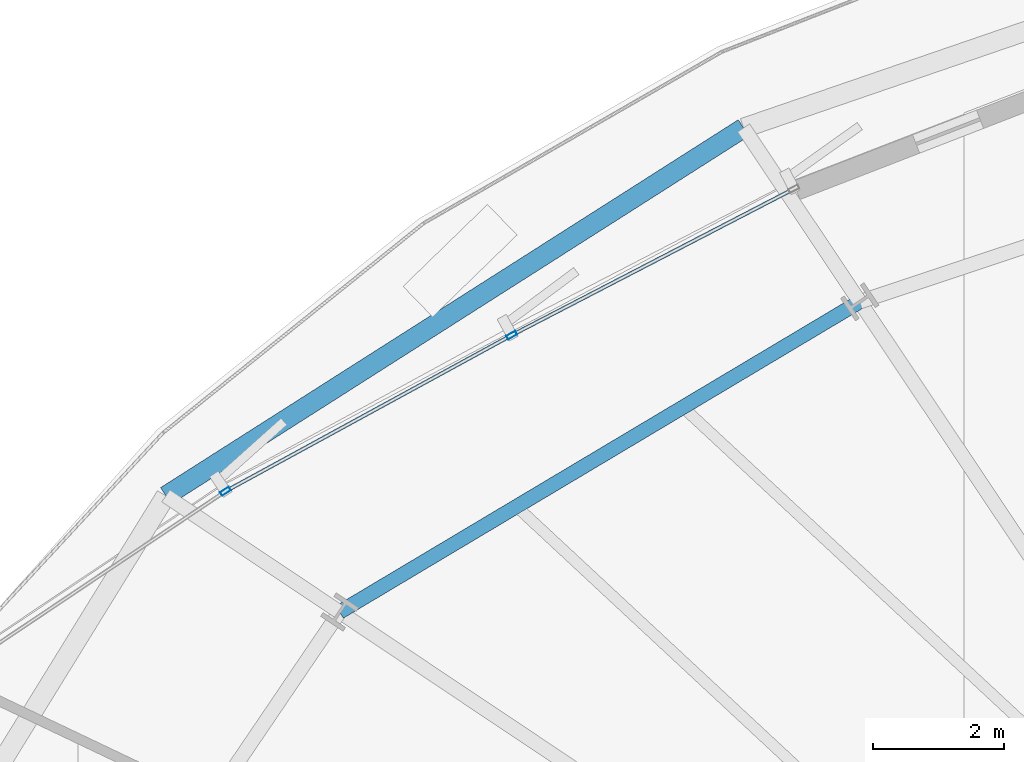
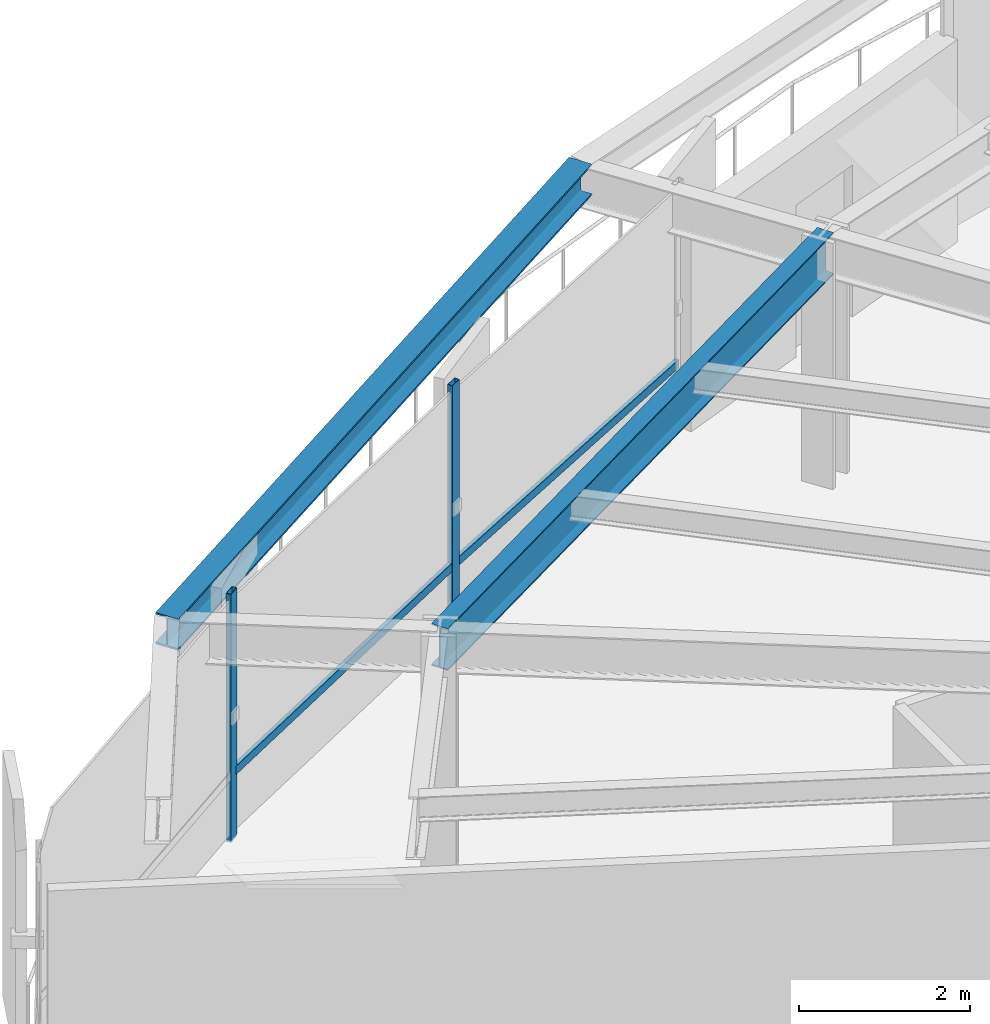
# One storey, part 19 of 38: 4 members, 2 beams, 1 element without a shape of its own.
"""IFC4 building model written with IfcOpenShell, lengths in metres."""

from ifc_helpers import new_model, si_unit, direction, frame, origin, origin_2d, place, context, subcontext, project, spatial, hollow_rectangle, i_section, extrude, source, transform, mapped, material, layer, layer_set, material_profile, profile_set, type_object, element, aggregate, save


model = new_model("IFC4")

# Units and contexts
model_context = context("Model", 3, precision=1e-05, world=origin(), true_north=direction((0.0, 1.0)))
body_context = subcontext(model_context, "Body", "Model", "MODEL_VIEW")
ifc_project = project(units=[si_unit("LENGTHUNIT", "METRE"), si_unit("AREAUNIT", "SQUARE_METRE"), si_unit("VOLUMEUNIT", "CUBIC_METRE"), si_unit("PLANEANGLEUNIT", "RADIAN"), si_unit("MASSUNIT", "GRAM", prefix="KILO"), si_unit("THERMODYNAMICTEMPERATUREUNIT", "KELVIN")], contexts=[model_context])

# Site, building, storey
site_placement = place(None, origin())
site = spatial("IfcSite", under=ifc_project, at=site_placement, CompositionType="ELEMENT")
building_placement = place(site_placement, origin())
building = spatial("IfcBuilding", under=site, at=building_placement, Name="Kethvar Cultural Tower", CompositionType="ELEMENT")
storey_placement = place(building_placement, frame((0.0, 0.0, 67.60009765625)))
storey = spatial("IfcBuildingStorey", under=building, at=storey_placement, Name="L16", CompositionType="ELEMENT", Elevation=67.60009765625)

# Beams
ifc_material_1 = material(Name="Steel S355J2", Category="steel")
ifc_material_profile_1 = material_profile(ifc_material_1, i_section(OverallWidth=0.219970703125, OverallDepth=0.60009765625, WebThickness=0.011962890625, FlangeThickness=0.01904296875, FilletRadius=0.02392578125, at=origin_2d()), Name="Steel S355J2 — IPE600")
ifc_profile_set_1 = profile_set([ifc_material_profile_1], Name="Steel S355J2 — IPE600")
beam_type_1 = type_object("IfcBeamType", Name="BM-IPE600", PredefinedType="BEAM", material=ifc_profile_set_1)
shared_shape_1 = source(origin(), body_context, "Body", "SweptSolid", [
    extrude(i_section(OverallWidth=0.219970703125, OverallDepth=0.60009765625, WebThickness=0.011962890625, FlangeThickness=0.01904296875, FilletRadius=0.02392578125, at=origin_2d()), origin(), (0.0, 0.0, 1.0), 9.270263671875),
])
beam_1_placement = place(storey_placement, frame((34.64599609375, 45.98974609375, 3.247802734375), z_axis=(-0.858814626354, -0.51228647997, 0.0), x_axis=(0.51228647997, -0.858814626354, 0.0)))
element("IfcBeam", 1, at=beam_1_placement, inside=storey, type_object=beam_type_1, Name="L16 Column Ring Tie Beam CR-06", PredefinedType="BEAM", context=body_context, shape_type="MappedRepresentation", body=[
    mapped(shared_shape_1, transform((0.0, 0.0, 0.0), scale=1.0)),
])
ifc_material_profile_2 = material_profile(ifc_material_1, i_section(OverallWidth=0.300048828125, OverallDepth=0.449951171875, WebThickness=0.013916015625, FlangeThickness=0.02587890625, FilletRadius=0.027099609375, at=origin_2d()), Name="Steel S355J2 — HEB450")
ifc_profile_set_2 = profile_set([ifc_material_profile_2], Name="Steel S355J2 — HEB450")
beam_type_2 = type_object("IfcBeamType", Name="BM-SP450", PredefinedType="SPANDREL", material=ifc_profile_set_2)
shared_shape_2 = source(origin(), body_context, "Body", "SweptSolid", [
    extrude(i_section(OverallWidth=0.300048828125, OverallDepth=0.449951171875, WebThickness=0.013916015625, FlangeThickness=0.02587890625, FilletRadius=0.027099609375, at=origin_2d()), origin(), (0.0, 0.0, 1.0), 10.485107421875),
])
beam_2_placement = place(storey_placement, frame((32.8681640625, 48.650390625, 3.322998046875), z_axis=(-0.843502294633, -0.537125570932, 0.0), x_axis=(0.537125570932, -0.843502294633, 0.0)))
element("IfcBeam", 2, at=beam_2_placement, inside=storey, type_object=beam_type_2, Name="L16 Perimeter Spandrel Beam SP-06", PredefinedType="SPANDREL", context=body_context, shape_type="MappedRepresentation", body=[
    mapped(shared_shape_2, transform((0.0, 0.0, 0.0), scale=1.0)),
])

# Curtain wall, members
ifc_material_2 = material(Name="Aluminium 6063-T6", Category="aluminium")
ifc_layer = layer(ifc_material_2, 0.179931640625, Name="Aluminium 6063-T6", Category="aluminium")
ifc_layer_set = layer_set([ifc_layer], Name="Aluminium 6063-T6 (180 mm)")
curtain_wall_type = type_object("IfcCurtainWallType", Name="CW-SYS-02-Z1", PredefinedType="NOTDEFINED", material=ifc_layer_set)
curtain_wall_placement = place(storey_placement, origin())
curtain_wall = element("IfcCurtainWall", 3, at=curtain_wall_placement, inside=storey, type_object=curtain_wall_type, Name="L16 Curtain Wall Run 03", PredefinedType="NOTDEFINED")
ifc_material_profile_3 = material_profile(ifc_material_2, hollow_rectangle(XDim=0.06494140625, YDim=0.159912109375, WallThickness=0.0048828125, at=origin_2d()), Name="Aluminium 6063-T6 — RHS160x65x5")
ifc_profile_set_3 = profile_set([ifc_material_profile_3], Name="Aluminium 6063-T6 — RHS160x65x5")
member_type_1 = type_object("IfcMemberType", Name="CW-SYS-02-Z1-MUL", PredefinedType="MULLION", material=ifc_profile_set_3)
shared_shape_3 = source(origin(), body_context, "Body", "SweptSolid", [
    extrude(hollow_rectangle(XDim=0.06494140625, YDim=0.159912109375, WallThickness=0.0048828125, at=origin_2d()), origin(), (0.0, 0.0, 1.0), 3.5498046875),
])
member_1_placement = place(storey_placement, frame((29.319091796875, 45.478515625, 0.0), z_axis=(0.0, 0.0, 1.0), x_axis=(0.478845087586, -0.877899414566, 0.0)))
member_1 = element("IfcMember", 4, at=member_1_placement, type_object=member_type_1, Name="CW-L16-R03 Mullion 2", PredefinedType="MULLION", context=body_context, shape_type="MappedRepresentation", body=[
    mapped(shared_shape_3, transform((0.0, 0.0, 0.0), scale=1.0)),
])
member_2_placement = place(storey_placement, frame((24.9375, 43.08935546875, 0.0), z_axis=(0.0, 0.0, 1.0), x_axis=(0.556817628598, -0.830634774424, 0.0)))
member_2 = element("IfcMember", 5, at=member_2_placement, type_object=member_type_1, Name="CW-L16-R03 Mullion 3", PredefinedType="MULLION", context=body_context, shape_type="MappedRepresentation", body=[
    mapped(shared_shape_3, transform((0.0, 0.0, 0.0), scale=1.0)),
])
ifc_material_profile_4 = material_profile(ifc_material_2, hollow_rectangle(XDim=0.054931640625, YDim=0.1201171875, WallThickness=0.00390625, at=origin_2d()), Name="Aluminium 6063-T6 — RHS120x55x4")
ifc_profile_set_4 = profile_set([ifc_material_profile_4], Name="Aluminium 6063-T6 — RHS120x55x4")
member_type_2 = type_object("IfcMemberType", Name="CW-SYS-02-Z1-TRN", PredefinedType="USERDEFINED", material=ifc_profile_set_4)
shared_shape_4 = source(origin(), body_context, "Body", "SweptSolid", [
    extrude(hollow_rectangle(XDim=0.054931640625, YDim=0.1201171875, WallThickness=0.00390625, at=origin_2d()), origin(), (0.0, 0.0, 1.0), 4.816162109375),
])
member_3_placement = place(storey_placement, frame((33.6337890625, 47.71630859375, 0.949951171875), z_axis=(-0.887698518317, -0.460425173702, 0.0), x_axis=(0.460425173702, -0.887698518317, 0.0)))
member_3 = element("IfcMember", 6, at=member_3_placement, type_object=member_type_2, Name="CW-L16-R03 Transom 1", ObjectType="TRANSOM", PredefinedType="USERDEFINED", context=body_context, shape_type="MappedRepresentation", body=[
    mapped(shared_shape_4, transform((0.0, 0.0, 0.0), scale=1.0)),
])
shared_shape_5 = source(origin(), body_context, "Body", "SweptSolid", [
    extrude(hollow_rectangle(XDim=0.054931640625, YDim=0.1201171875, WallThickness=0.00390625, at=origin_2d()), origin(), (0.0, 0.0, 1.0), 4.90771484375),
])
member_4_placement = place(storey_placement, frame((29.27783203125, 45.4560546875, 0.949951171875), z_axis=(-0.877920286399, -0.478806819843, 0.0), x_axis=(0.478806819843, -0.877920286399, 0.0)))
member_4 = element("IfcMember", 7, at=member_4_placement, type_object=member_type_2, Name="CW-L16-R03 Transom 2", ObjectType="TRANSOM", PredefinedType="USERDEFINED", context=body_context, shape_type="MappedRepresentation", body=[
    mapped(shared_shape_5, transform((0.0, 0.0, 0.0), scale=1.0)),
])
aggregate(curtain_wall, [member_1, member_2, member_3, member_4])

save(model, "model.ifc")
